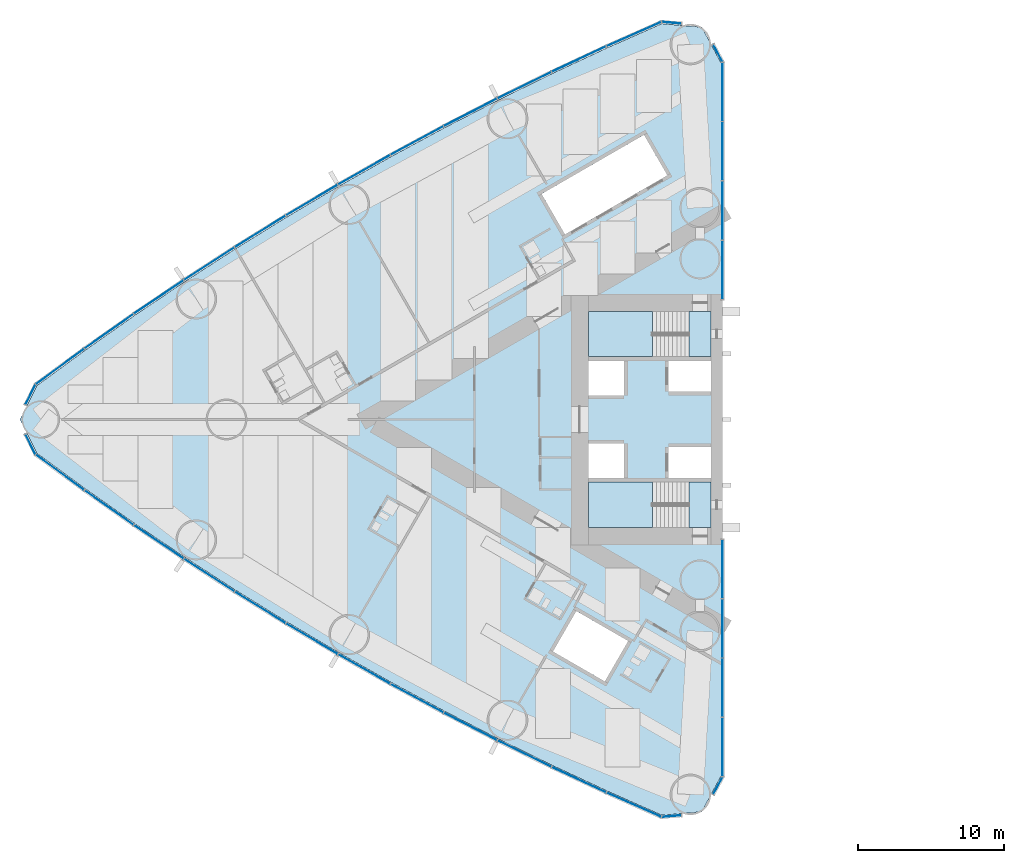
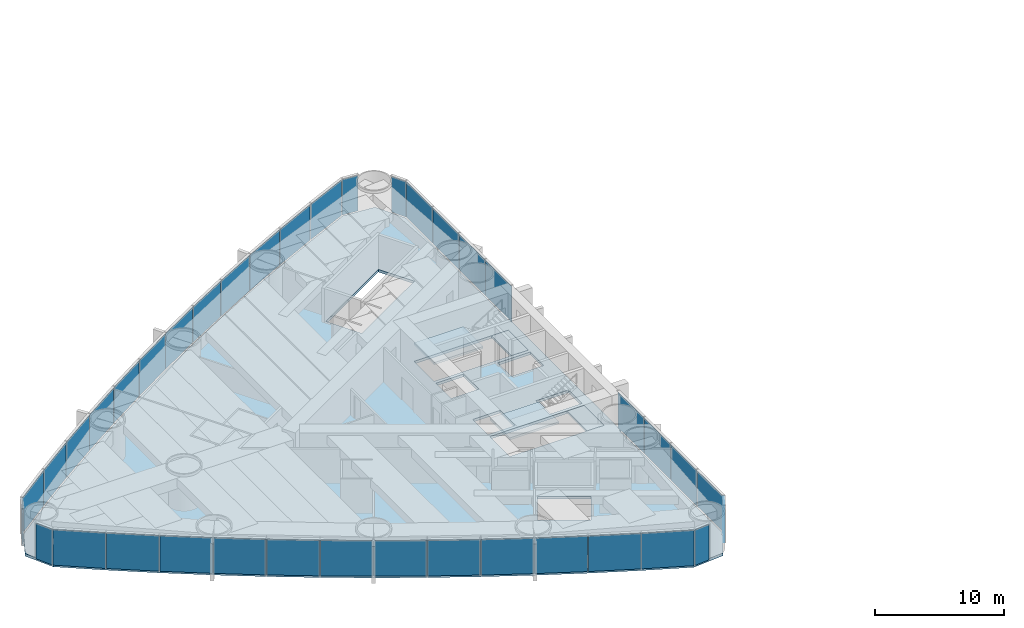
# One storey, part 9 of 19: 38 plates, 5 slabs, 6 elements without a shape of their own.
"""IFC4 building model written with IfcOpenShell, lengths in metres."""

from ifc_helpers import new_model, si_unit, direction, frame, origin, origin_2d, place, context, subcontext, project, spatial, polyline, rectangle, outline, extrude, material, layer, layer_set, type_object, element, aggregate, save


model = new_model("IFC4")

# Units and contexts
model_context = context("Model", 3, precision=1e-05, world=origin(), true_north=direction((0.0, 1.0)))
body_context = subcontext(model_context, "Body", "Model", "MODEL_VIEW")
ifc_project = project(units=[si_unit("LENGTHUNIT", "METRE"), si_unit("AREAUNIT", "SQUARE_METRE"), si_unit("VOLUMEUNIT", "CUBIC_METRE"), si_unit("PLANEANGLEUNIT", "RADIAN"), si_unit("MASSUNIT", "GRAM", prefix="KILO")], contexts=[model_context])

# Site, building, storey
site_placement = place(None, origin())
site = spatial("IfcSite", under=ifc_project, at=site_placement, CompositionType="ELEMENT")
building_placement = place(site_placement, origin())
building = spatial("IfcBuilding", under=site, at=building_placement, Name="Lancet Gate Hotel", CompositionType="ELEMENT")
storey_placement = place(building_placement, frame((0.0, 0.0, 35.5)))
storey = spatial("IfcBuildingStorey", under=building, at=storey_placement, Name="L08", CompositionType="ELEMENT", Elevation=35.5)

# Slab
ifc_material_1 = material(Name="Concrete C50/60", Category="concrete")
ifc_layer_1 = layer(ifc_material_1, 0.25)
ifc_layer_set_1 = layer_set([ifc_layer_1], Name="Floor slab 250")
slab_type_1 = type_object("IfcSlabType", Name="Floor slab 250", PredefinedType="FLOOR", material=ifc_layer_set_1)
slab_1_placement = place(storey_placement, frame((0.0, 0.0, -0.25)))
element("IfcSlab", 1, at=slab_1_placement, inside=storey, type_object=slab_type_1, Name="T1 L08 floor slab", PredefinedType="FLOOR", context=body_context, shape_type="SweptSolid", body=[
    extrude(outline(polyline([(-27.5, 8.60009765625), (-27.6201171875, 8.60009765625), (-27.6201171875, 24.4609375), (-28.926513671875, 26.8837890625), (-31.668212890625, 27.12353515625), (-35.424072265625, 25.458740234375), (-39.173583984375, 23.70849609375), (-42.887939453125, 21.884765625), (-46.56591796875, 19.98876953125), (-50.2060546875, 18.02099609375), (-53.806884765625, 15.982421875), (-57.366943359375, 13.87353515625), (-60.88525390625, 11.695068359375), (-64.360107421875, 9.448486328125), (-67.7900390625, 7.134033203125), (-71.17431640625, 4.752685546875), (-74.488525390625, 2.322021484375), (-75.65087890625, 0.0), (-74.488525390625, -2.322021484375), (-71.17431640625, -4.752685546875), (-67.7900390625, -7.134033203125), (-64.360107421875, -9.448486328125), (-60.88525390625, -11.695068359375), (-57.366943359375, -13.87353515625), (-53.806884765625, -15.982421875), (-50.2060546875, -18.02099609375), (-46.56591796875, -19.98876953125), (-42.887939453125, -21.884765625), (-39.173583984375, -23.70849609375), (-35.424072265625, -25.458740234375), (-31.668212890625, -27.12353515625), (-28.926513671875, -26.8837890625), (-27.6201171875, -24.4609375), (-27.6201171875, -8.60009765625), (-27.5, -8.60009765625), (-27.5, -8.199951171875), (-27.5, 8.199951171875), (-27.5, 8.60009765625)]), holes=[polyline([(-36.699951171875, 7.39990234375), (-36.699951171875, 4.300048828125), (-28.300048828125, 4.300048828125), (-28.300048828125, 7.39990234375), (-36.699951171875, 7.39990234375)]), polyline([(-28.300048828125, 4.0), (-31.199951171875, 4.0), (-31.199951171875, 1.89990234375), (-28.300048828125, 1.89990234375), (-28.300048828125, 4.0)]), polyline([(-34.25, 4.0), (-36.699951171875, 4.0), (-36.699951171875, 1.64990234375), (-34.25, 1.64990234375), (-34.25, 4.0)]), polyline([(-36.699951171875, -1.64990234375), (-36.699951171875, -4.0), (-34.25, -4.0), (-34.25, -1.64990234375), (-36.699951171875, -1.64990234375)]), polyline([(-28.300048828125, -1.89990234375), (-31.199951171875, -1.89990234375), (-31.199951171875, -4.0), (-28.300048828125, -4.0), (-28.300048828125, -1.89990234375)]), polyline([(-28.300048828125, -4.300048828125), (-36.699951171875, -4.300048828125), (-36.699951171875, -7.39990234375), (-28.300048828125, -7.39990234375), (-28.300048828125, -4.300048828125)]), polyline([(-31.2900390625, 16.73095703125), (-32.889892578125, 19.501953125), (-39.904052734375, 15.451904296875), (-38.303955078125, 12.680908203125), (-31.2900390625, 16.73095703125)]), polyline([(-33.97412109375, -15.180908203125), (-37.52490234375, -13.131103515625), (-39.125, -15.902099609375), (-35.573974609375, -17.951904296875), (-33.97412109375, -15.180908203125)])]), origin(), (0.0, 0.0, 1.0), 0.25),
])

# Stair, slabs
ifc_material_2 = material(Name="Exit stair 20 risers 1500")
stair_type = type_object("IfcStairType", Name="Exit stair 20 risers 1500", PredefinedType="HALF_TURN_STAIR", material=ifc_material_2)
stair_1_placement = place(storey_placement, origin())
stair_1 = element("IfcStair", 2, at=stair_1_placement, inside=storey, type_object=stair_type, Name="T1 stair 1 L08", PredefinedType="HALF_TURN_STAIR")
ifc_material_3 = material(Name="Concrete C40/50", Category="concrete")
ifc_layer_2 = layer(ifc_material_3, 0.199951171875)
ifc_layer_set_2 = layer_set([ifc_layer_2], Name="Stair landing 200")
slab_type_2 = type_object("IfcSlabType", Name="Stair landing 200", PredefinedType="LANDING", material=ifc_layer_set_2)
slab_2_placement = place(storey_placement, frame((0.0, 0.0, -0.199951171875)))
slab_2 = element("IfcSlab", 3, at=slab_2_placement, type_object=slab_type_2, Name="ST1 landing 1", PredefinedType="LANDING", context=body_context, shape_type="SweptSolid", body=[
    extrude(outline(polyline([(-28.300048828125, 7.39990234375), (-29.800048828125, 7.39990234375), (-29.800048828125, 4.300048828125), (-28.300048828125, 4.300048828125), (-28.300048828125, 7.39990234375)])), origin(), (0.0, 0.0, 1.0), 0.199951171875),
])
slab_3_placement = place(storey_placement, frame((0.0, 0.0, 1.550048828125)))
slab_3 = element("IfcSlab", 4, at=slab_3_placement, type_object=slab_type_2, Name="ST1 landing 2", PredefinedType="LANDING", context=body_context, shape_type="SweptSolid", body=[
    extrude(outline(polyline([(-32.320068359375, 7.39990234375), (-36.699951171875, 7.39990234375), (-36.699951171875, 4.300048828125), (-32.320068359375, 4.300048828125), (-32.320068359375, 7.39990234375)])), origin(), (0.0, 0.0, 1.0), 0.199951171875),
])
aggregate(stair_1, [slab_2, slab_3])

stair_2_placement = place(storey_placement, origin())
stair_2 = element("IfcStair", 5, at=stair_2_placement, inside=storey, type_object=stair_type, Name="T1 stair 2 L08", PredefinedType="HALF_TURN_STAIR")
slab_4_placement = place(storey_placement, frame((0.0, 0.0, -0.199951171875)))
slab_4 = element("IfcSlab", 6, at=slab_4_placement, type_object=slab_type_2, Name="ST2 landing 1", PredefinedType="LANDING", context=body_context, shape_type="SweptSolid", body=[
    extrude(outline(polyline([(-28.300048828125, -4.300048828125), (-29.800048828125, -4.300048828125), (-29.800048828125, -7.39990234375), (-28.300048828125, -7.39990234375), (-28.300048828125, -4.300048828125)])), origin(), (0.0, 0.0, 1.0), 0.199951171875),
])
slab_5_placement = place(storey_placement, frame((0.0, 0.0, 1.550048828125)))
slab_5 = element("IfcSlab", 7, at=slab_5_placement, type_object=slab_type_2, Name="ST2 landing 2", PredefinedType="LANDING", context=body_context, shape_type="SweptSolid", body=[
    extrude(outline(polyline([(-32.320068359375, -4.300048828125), (-36.699951171875, -4.300048828125), (-36.699951171875, -7.39990234375), (-32.320068359375, -7.39990234375), (-32.320068359375, -4.300048828125)])), origin(), (0.0, 0.0, 1.0), 0.199951171875),
])
aggregate(stair_2, [slab_4, slab_5])

# Curtain wall, plates
ifc_material_4 = material(Name="Aluminium curtain wall", Category="aluminium")
curtain_wall_type = type_object("IfcCurtainWallType", Name="Tower unitised curtain wall", PredefinedType="USERDEFINED", material=ifc_material_4)
curtain_wall_1_placement = place(storey_placement, origin())
curtain_wall_1 = element("IfcCurtainWall", 8, at=curtain_wall_1_placement, inside=storey, type_object=curtain_wall_type, Name="T1 L08 curtain wall 1", ObjectType="UNITISED CURTAIN WALL", PredefinedType="USERDEFINED")
ifc_material_5 = material(Name="Glass double glazed unit 8-16-6", Category="glass")
ifc_layer_3 = layer(ifc_material_5, 0.030029296875)
ifc_layer_set_3 = layer_set([ifc_layer_3], Name="Vision panel double glazed")
plate_type = type_object("IfcPlateType", Name="Vision panel double glazed", PredefinedType="CURTAIN_PANEL", material=ifc_layer_set_3)
plate_1_placement = place(storey_placement, frame((-27.5, 10.236328125, 0.0), z_axis=(0.0, 0.0, 1.0), x_axis=(0.0, 1.0, 0.0)))
plate_1 = element("IfcPlate", 9, at=plate_1_placement, type_object=plate_type, Name="T1 L08 curtain wall 1 panel 1", PredefinedType="CURTAIN_PANEL", context=body_context, shape_type="SweptSolid", body=[
    extrude(rectangle(XDim=4.0078125, YDim=0.030029296875, at=origin_2d()), origin(), (0.0, 0.0, 1.0), 3.35009765625),
])
plate_2_placement = place(storey_placement, frame((-27.5, 14.30908203125, 0.0), z_axis=(0.0, 0.0, 1.0), x_axis=(0.0, 1.0, 0.0)))
plate_2 = element("IfcPlate", 10, at=plate_2_placement, type_object=plate_type, Name="T1 L08 curtain wall 1 panel 2", PredefinedType="CURTAIN_PANEL", context=body_context, shape_type="SweptSolid", body=[
    extrude(rectangle(XDim=4.0078125, YDim=0.030029296875, at=origin_2d()), origin(), (0.0, 0.0, 1.0), 3.35009765625),
])
plate_3_placement = place(storey_placement, frame((-27.5, 18.382080078125, 0.0), z_axis=(0.0, 0.0, 1.0), x_axis=(0.0, 1.0, 0.0)))
plate_3 = element("IfcPlate", 11, at=plate_3_placement, type_object=plate_type, Name="T1 L08 curtain wall 1 panel 3", PredefinedType="CURTAIN_PANEL", context=body_context, shape_type="SweptSolid", body=[
    extrude(rectangle(XDim=4.0078125, YDim=0.030029296875, at=origin_2d()), origin(), (0.0, 0.0, 1.0), 3.35009765625),
])
plate_4_placement = place(storey_placement, frame((-27.5, 22.454833984375, 0.0), z_axis=(0.0, 0.0, 1.0), x_axis=(0.0, 1.0, 0.0)))
plate_4 = element("IfcPlate", 12, at=plate_4_placement, type_object=plate_type, Name="T1 L08 curtain wall 1 panel 4", PredefinedType="CURTAIN_PANEL", context=body_context, shape_type="SweptSolid", body=[
    extrude(rectangle(XDim=4.0078125, YDim=0.030029296875, at=origin_2d()), origin(), (0.0, 0.0, 1.0), 3.35009765625),
])
plate_5_placement = place(storey_placement, frame((-27.829345703125, 25.10205078125, 0.0), z_axis=(0.0, 0.0, 1.0), x_axis=(-0.474631040972, 0.880184852714, 0.0)))
plate_5 = element("IfcPlate", 13, at=plate_5_placement, type_object=plate_type, Name="T1 L08 curtain wall 1 panel 5", PredefinedType="CURTAIN_PANEL", context=body_context, shape_type="SweptSolid", body=[
    extrude(rectangle(XDim=1.322998046875, YDim=0.030029296875, at=origin_2d()), origin(), (0.0, 0.0, 1.0), 3.35009765625),
])
aggregate(curtain_wall_1, [plate_1, plate_2, plate_3, plate_4, plate_5])

curtain_wall_2_placement = place(storey_placement, origin())
curtain_wall_2 = element("IfcCurtainWall", 14, at=curtain_wall_2_placement, inside=storey, type_object=curtain_wall_type, Name="T1 L08 curtain wall 2", ObjectType="UNITISED CURTAIN WALL", PredefinedType="USERDEFINED")
plate_6_placement = place(storey_placement, frame((-30.99658203125, 27.185302734375, 0.0), z_axis=(0.0, 0.0, 1.0), x_axis=(-0.99620380374, 0.087051602022, 0.0)))
plate_6 = element("IfcPlate", 15, at=plate_6_placement, type_object=plate_type, Name="T1 L08 curtain wall 2 panel 1", PredefinedType="CURTAIN_PANEL", context=body_context, shape_type="SweptSolid", body=[
    extrude(rectangle(XDim=1.32421875, YDim=0.030029296875, at=origin_2d()), origin(), (0.0, 0.0, 1.0), 3.35009765625),
])
plate_7_placement = place(storey_placement, frame((-33.581298828125, 26.406982421875, 0.0), z_axis=(0.0, 0.0, 1.0), x_axis=(-0.914234183208, -0.405186201954, 0.0)))
plate_7 = element("IfcPlate", 16, at=plate_7_placement, type_object=plate_type, Name="T1 L08 curtain wall 2 panel 2", PredefinedType="CURTAIN_PANEL", context=body_context, shape_type="SweptSolid", body=[
    extrude(rectangle(XDim=4.0751953125, YDim=0.030029296875, at=origin_2d()), origin(), (0.0, 0.0, 1.0), 3.35009765625),
])
plate_8_placement = place(storey_placement, frame((-37.349609375, 24.6923828125, 0.0), z_axis=(0.0, 0.0, 1.0), x_axis=(-0.906117767284, -0.423025521467, 0.0)))
plate_8 = element("IfcPlate", 17, at=plate_8_placement, type_object=plate_type, Name="T1 L08 curtain wall 2 panel 3", PredefinedType="CURTAIN_PANEL", context=body_context, shape_type="SweptSolid", body=[
    extrude(rectangle(XDim=4.0751953125, YDim=0.030029296875, at=origin_2d()), origin(), (0.0, 0.0, 1.0), 3.35009765625),
])
plate_9_placement = place(storey_placement, frame((-41.083740234375, 22.904296875, 0.0), z_axis=(0.0, 0.0, 1.0), x_axis=(-0.897653295642, -0.440702349463, 0.0)))
plate_9 = element("IfcPlate", 18, at=plate_9_placement, type_object=plate_type, Name="T1 L08 curtain wall 2 panel 4", PredefinedType="CURTAIN_PANEL", context=body_context, shape_type="SweptSolid", body=[
    extrude(rectangle(XDim=4.0751953125, YDim=0.030029296875, at=origin_2d()), origin(), (0.0, 0.0, 1.0), 3.35009765625),
])
plate_10_placement = place(storey_placement, frame((-44.781982421875, 21.04345703125, 0.0), z_axis=(0.0, 0.0, 1.0), x_axis=(-0.888844019644, -0.458209895946, 0.0)))
plate_10 = element("IfcPlate", 19, at=plate_10_placement, type_object=plate_type, Name="T1 L08 curtain wall 2 panel 5", PredefinedType="CURTAIN_PANEL", context=body_context, shape_type="SweptSolid", body=[
    extrude(rectangle(XDim=4.0751953125, YDim=0.030029296875, at=origin_2d()), origin(), (0.0, 0.0, 1.0), 3.35009765625),
])
plate_11_placement = place(storey_placement, frame((-48.443115234375, 19.110595703125, 0.0), z_axis=(0.0, 0.0, 1.0), x_axis=(-0.87969332307, -0.475541435993, 0.0)))
plate_11 = element("IfcPlate", 20, at=plate_11_placement, type_object=plate_type, Name="T1 L08 curtain wall 2 panel 6", PredefinedType="CURTAIN_PANEL", context=body_context, shape_type="SweptSolid", body=[
    extrude(rectangle(XDim=4.0751953125, YDim=0.030029296875, at=origin_2d()), origin(), (0.0, 0.0, 1.0), 3.35009765625),
])
plate_12_placement = place(storey_placement, frame((-52.065673828125, 17.106201171875, 0.0), z_axis=(0.0, 0.0, 1.0), x_axis=(-0.870204720871, -0.492690312238, 0.0)))
plate_12 = element("IfcPlate", 21, at=plate_12_placement, type_object=plate_type, Name="T1 L08 curtain wall 2 panel 7", PredefinedType="CURTAIN_PANEL", context=body_context, shape_type="SweptSolid", body=[
    extrude(rectangle(XDim=4.0751953125, YDim=0.030029296875, at=origin_2d()), origin(), (0.0, 0.0, 1.0), 3.35009765625),
])
plate_13_placement = place(storey_placement, frame((-55.648193359375, 15.031005859375, 0.0), z_axis=(0.0, 0.0, 1.0), x_axis=(-0.860381857795, -0.509649937484, 0.0)))
plate_13 = element("IfcPlate", 22, at=plate_13_placement, type_object=plate_type, Name="T1 L08 curtain wall 2 panel 8", PredefinedType="CURTAIN_PANEL", context=body_context, shape_type="SweptSolid", body=[
    extrude(rectangle(XDim=4.0751953125, YDim=0.030029296875, at=origin_2d()), origin(), (0.0, 0.0, 1.0), 3.35009765625),
])
plate_14_placement = place(storey_placement, frame((-59.189208984375, 12.88623046875, 0.0), z_axis=(0.0, 0.0, 1.0), x_axis=(-0.850228506958, -0.52641379727, 0.0)))
plate_14 = element("IfcPlate", 23, at=plate_14_placement, type_object=plate_type, Name="T1 L08 curtain wall 2 panel 9", PredefinedType="CURTAIN_PANEL", context=body_context, shape_type="SweptSolid", body=[
    extrude(rectangle(XDim=4.0751953125, YDim=0.030029296875, at=origin_2d()), origin(), (0.0, 0.0, 1.0), 3.35009765625),
])
plate_15_placement = place(storey_placement, frame((-62.687744140625, 10.672607421875, 0.0), z_axis=(0.0, 0.0, 1.0), x_axis=(-0.839748568448, -0.54297545229, 0.0)))
plate_15 = element("IfcPlate", 24, at=plate_15_placement, type_object=plate_type, Name="T1 L08 curtain wall 2 panel 10", PredefinedType="CURTAIN_PANEL", context=body_context, shape_type="SweptSolid", body=[
    extrude(rectangle(XDim=4.0751953125, YDim=0.030029296875, at=origin_2d()), origin(), (0.0, 0.0, 1.0), 3.35009765625),
])
plate_16_placement = place(storey_placement, frame((-66.142333984375, 8.390625, 0.0), z_axis=(0.0, 0.0, 1.0), x_axis=(-0.828946067803, -0.559328540907, 0.0)))
plate_16 = element("IfcPlate", 25, at=plate_16_placement, type_object=plate_type, Name="T1 L08 curtain wall 2 panel 11", PredefinedType="CURTAIN_PANEL", context=body_context, shape_type="SweptSolid", body=[
    extrude(rectangle(XDim=4.0751953125, YDim=0.030029296875, at=origin_2d()), origin(), (0.0, 0.0, 1.0), 3.35009765625),
])
plate_17_placement = place(storey_placement, frame((-69.55126953125, 6.04150390625, 0.0), z_axis=(0.0, 0.0, 1.0), x_axis=(-0.817825154435, -0.575466781642, 0.0)))
plate_17 = element("IfcPlate", 26, at=plate_17_placement, type_object=plate_type, Name="T1 L08 curtain wall 2 panel 12", PredefinedType="CURTAIN_PANEL", context=body_context, shape_type="SweptSolid", body=[
    extrude(rectangle(XDim=4.0751953125, YDim=0.030029296875, at=origin_2d()), origin(), (0.0, 0.0, 1.0), 3.35009765625),
])
plate_18_placement = place(storey_placement, frame((-72.91357421875, 3.6259765625, 0.0), z_axis=(0.0, 0.0, 1.0), x_axis=(-0.80639010009, -0.591383975499, 0.0)))
plate_18 = element("IfcPlate", 27, at=plate_18_placement, type_object=plate_type, Name="T1 L08 curtain wall 2 panel 13", PredefinedType="CURTAIN_PANEL", context=body_context, shape_type="SweptSolid", body=[
    extrude(rectangle(XDim=4.0751953125, YDim=0.030029296875, at=origin_2d()), origin(), (0.0, 0.0, 1.0), 3.35009765625),
])
plate_19_placement = place(storey_placement, frame((-74.93505859375, 1.6982421875, 0.0), z_axis=(0.0, 0.0, 1.0), x_axis=(-0.447628324726, -0.89421970617, 0.0)))
plate_19 = element("IfcPlate", 28, at=plate_19_placement, type_object=plate_type, Name="T1 L08 curtain wall 2 panel 14", PredefinedType="CURTAIN_PANEL", context=body_context, shape_type="SweptSolid", body=[
    extrude(rectangle(XDim=1.50830078125, YDim=0.030029296875, at=origin_2d()), origin(), (0.0, 0.0, 1.0), 3.35009765625),
])
aggregate(curtain_wall_2, [plate_6, plate_7, plate_8, plate_9, plate_10, plate_11, plate_12, plate_13, plate_14, plate_15, plate_16, plate_17, plate_18, plate_19])

curtain_wall_3_placement = place(storey_placement, origin())
curtain_wall_3 = element("IfcCurtainWall", 29, at=curtain_wall_3_placement, inside=storey, type_object=curtain_wall_type, Name="T1 L08 curtain wall 3", ObjectType="UNITISED CURTAIN WALL", PredefinedType="USERDEFINED")
plate_20_placement = place(storey_placement, frame((-74.93505859375, -1.6982421875, 0.0), z_axis=(0.0, 0.0, 1.0), x_axis=(0.447628324726, -0.89421970617, 0.0)))
plate_20 = element("IfcPlate", 30, at=plate_20_placement, type_object=plate_type, Name="T1 L08 curtain wall 3 panel 1", PredefinedType="CURTAIN_PANEL", context=body_context, shape_type="SweptSolid", body=[
    extrude(rectangle(XDim=1.50830078125, YDim=0.030029296875, at=origin_2d()), origin(), (0.0, 0.0, 1.0), 3.35009765625),
])
plate_21_placement = place(storey_placement, frame((-72.91357421875, -3.6259765625, 0.0), z_axis=(0.0, 0.0, 1.0), x_axis=(0.80639010009, -0.591383975499, 0.0)))
plate_21 = element("IfcPlate", 31, at=plate_21_placement, type_object=plate_type, Name="T1 L08 curtain wall 3 panel 2", PredefinedType="CURTAIN_PANEL", context=body_context, shape_type="SweptSolid", body=[
    extrude(rectangle(XDim=4.0751953125, YDim=0.030029296875, at=origin_2d()), origin(), (0.0, 0.0, 1.0), 3.35009765625),
])
plate_22_placement = place(storey_placement, frame((-69.55126953125, -6.04150390625, 0.0), z_axis=(0.0, 0.0, 1.0), x_axis=(0.817825154435, -0.575466781642, 0.0)))
plate_22 = element("IfcPlate", 32, at=plate_22_placement, type_object=plate_type, Name="T1 L08 curtain wall 3 panel 3", PredefinedType="CURTAIN_PANEL", context=body_context, shape_type="SweptSolid", body=[
    extrude(rectangle(XDim=4.0751953125, YDim=0.030029296875, at=origin_2d()), origin(), (0.0, 0.0, 1.0), 3.35009765625),
])
plate_23_placement = place(storey_placement, frame((-66.142333984375, -8.390625, 0.0), z_axis=(0.0, 0.0, 1.0), x_axis=(0.828946067803, -0.559328540907, 0.0)))
plate_23 = element("IfcPlate", 33, at=plate_23_placement, type_object=plate_type, Name="T1 L08 curtain wall 3 panel 4", PredefinedType="CURTAIN_PANEL", context=body_context, shape_type="SweptSolid", body=[
    extrude(rectangle(XDim=4.0751953125, YDim=0.030029296875, at=origin_2d()), origin(), (0.0, 0.0, 1.0), 3.35009765625),
])
plate_24_placement = place(storey_placement, frame((-62.687744140625, -10.672607421875, 0.0), z_axis=(0.0, 0.0, 1.0), x_axis=(0.839748568448, -0.54297545229, 0.0)))
plate_24 = element("IfcPlate", 34, at=plate_24_placement, type_object=plate_type, Name="T1 L08 curtain wall 3 panel 5", PredefinedType="CURTAIN_PANEL", context=body_context, shape_type="SweptSolid", body=[
    extrude(rectangle(XDim=4.0751953125, YDim=0.030029296875, at=origin_2d()), origin(), (0.0, 0.0, 1.0), 3.35009765625),
])
plate_25_placement = place(storey_placement, frame((-59.189208984375, -12.88623046875, 0.0), z_axis=(0.0, 0.0, 1.0), x_axis=(0.850228506958, -0.52641379727, 0.0)))
plate_25 = element("IfcPlate", 35, at=plate_25_placement, type_object=plate_type, Name="T1 L08 curtain wall 3 panel 6", PredefinedType="CURTAIN_PANEL", context=body_context, shape_type="SweptSolid", body=[
    extrude(rectangle(XDim=4.0751953125, YDim=0.030029296875, at=origin_2d()), origin(), (0.0, 0.0, 1.0), 3.35009765625),
])
plate_26_placement = place(storey_placement, frame((-55.648193359375, -15.031005859375, 0.0), z_axis=(0.0, 0.0, 1.0), x_axis=(0.860381857795, -0.509649937484, 0.0)))
plate_26 = element("IfcPlate", 36, at=plate_26_placement, type_object=plate_type, Name="T1 L08 curtain wall 3 panel 7", PredefinedType="CURTAIN_PANEL", context=body_context, shape_type="SweptSolid", body=[
    extrude(rectangle(XDim=4.0751953125, YDim=0.030029296875, at=origin_2d()), origin(), (0.0, 0.0, 1.0), 3.35009765625),
])
plate_27_placement = place(storey_placement, frame((-52.065673828125, -17.106201171875, 0.0), z_axis=(0.0, 0.0, 1.0), x_axis=(0.870204720871, -0.492690312238, 0.0)))
plate_27 = element("IfcPlate", 37, at=plate_27_placement, type_object=plate_type, Name="T1 L08 curtain wall 3 panel 8", PredefinedType="CURTAIN_PANEL", context=body_context, shape_type="SweptSolid", body=[
    extrude(rectangle(XDim=4.0751953125, YDim=0.030029296875, at=origin_2d()), origin(), (0.0, 0.0, 1.0), 3.35009765625),
])
plate_28_placement = place(storey_placement, frame((-48.443115234375, -19.110595703125, 0.0), z_axis=(0.0, 0.0, 1.0), x_axis=(0.87969332307, -0.475541435993, 0.0)))
plate_28 = element("IfcPlate", 38, at=plate_28_placement, type_object=plate_type, Name="T1 L08 curtain wall 3 panel 9", PredefinedType="CURTAIN_PANEL", context=body_context, shape_type="SweptSolid", body=[
    extrude(rectangle(XDim=4.0751953125, YDim=0.030029296875, at=origin_2d()), origin(), (0.0, 0.0, 1.0), 3.35009765625),
])
plate_29_placement = place(storey_placement, frame((-44.781982421875, -21.04345703125, 0.0), z_axis=(0.0, 0.0, 1.0), x_axis=(0.888844019644, -0.458209895946, 0.0)))
plate_29 = element("IfcPlate", 39, at=plate_29_placement, type_object=plate_type, Name="T1 L08 curtain wall 3 panel 10", PredefinedType="CURTAIN_PANEL", context=body_context, shape_type="SweptSolid", body=[
    extrude(rectangle(XDim=4.0751953125, YDim=0.030029296875, at=origin_2d()), origin(), (0.0, 0.0, 1.0), 3.35009765625),
])
plate_30_placement = place(storey_placement, frame((-41.083740234375, -22.904296875, 0.0), z_axis=(0.0, 0.0, 1.0), x_axis=(0.897653295642, -0.440702349463, 0.0)))
plate_30 = element("IfcPlate", 40, at=plate_30_placement, type_object=plate_type, Name="T1 L08 curtain wall 3 panel 11", PredefinedType="CURTAIN_PANEL", context=body_context, shape_type="SweptSolid", body=[
    extrude(rectangle(XDim=4.0751953125, YDim=0.030029296875, at=origin_2d()), origin(), (0.0, 0.0, 1.0), 3.35009765625),
])
plate_31_placement = place(storey_placement, frame((-37.349609375, -24.6923828125, 0.0), z_axis=(0.0, 0.0, 1.0), x_axis=(0.906117767284, -0.423025521467, 0.0)))
plate_31 = element("IfcPlate", 41, at=plate_31_placement, type_object=plate_type, Name="T1 L08 curtain wall 3 panel 12", PredefinedType="CURTAIN_PANEL", context=body_context, shape_type="SweptSolid", body=[
    extrude(rectangle(XDim=4.0751953125, YDim=0.030029296875, at=origin_2d()), origin(), (0.0, 0.0, 1.0), 3.35009765625),
])
plate_32_placement = place(storey_placement, frame((-33.581298828125, -26.406982421875, 0.0), z_axis=(0.0, 0.0, 1.0), x_axis=(0.914234183208, -0.405186201954, 0.0)))
plate_32 = element("IfcPlate", 42, at=plate_32_placement, type_object=plate_type, Name="T1 L08 curtain wall 3 panel 13", PredefinedType="CURTAIN_PANEL", context=body_context, shape_type="SweptSolid", body=[
    extrude(rectangle(XDim=4.0751953125, YDim=0.030029296875, at=origin_2d()), origin(), (0.0, 0.0, 1.0), 3.35009765625),
])
plate_33_placement = place(storey_placement, frame((-30.99658203125, -27.185302734375, 0.0), z_axis=(0.0, 0.0, 1.0), x_axis=(0.99620380374, 0.087051602022, 0.0)))
plate_33 = element("IfcPlate", 43, at=plate_33_placement, type_object=plate_type, Name="T1 L08 curtain wall 3 panel 14", PredefinedType="CURTAIN_PANEL", context=body_context, shape_type="SweptSolid", body=[
    extrude(rectangle(XDim=1.32421875, YDim=0.030029296875, at=origin_2d()), origin(), (0.0, 0.0, 1.0), 3.35009765625),
])
aggregate(curtain_wall_3, [plate_20, plate_21, plate_22, plate_23, plate_24, plate_25, plate_26, plate_27, plate_28, plate_29, plate_30, plate_31, plate_32, plate_33])

curtain_wall_4_placement = place(storey_placement, origin())
curtain_wall_4 = element("IfcCurtainWall", 44, at=curtain_wall_4_placement, inside=storey, type_object=curtain_wall_type, Name="T1 L08 curtain wall 4", ObjectType="UNITISED CURTAIN WALL", PredefinedType="USERDEFINED")
plate_34_placement = place(storey_placement, frame((-27.829345703125, -25.10205078125, 0.0), z_axis=(0.0, 0.0, 1.0), x_axis=(0.474631040972, 0.880184852714, 0.0)))
plate_34 = element("IfcPlate", 45, at=plate_34_placement, type_object=plate_type, Name="T1 L08 curtain wall 4 panel 1", PredefinedType="CURTAIN_PANEL", context=body_context, shape_type="SweptSolid", body=[
    extrude(rectangle(XDim=1.322998046875, YDim=0.030029296875, at=origin_2d()), origin(), (0.0, 0.0, 1.0), 3.35009765625),
])
plate_35_placement = place(storey_placement, frame((-27.5, -22.454833984375, 0.0), z_axis=(0.0, 0.0, 1.0), x_axis=(0.0, 1.0, 0.0)))
plate_35 = element("IfcPlate", 46, at=plate_35_placement, type_object=plate_type, Name="T1 L08 curtain wall 4 panel 2", PredefinedType="CURTAIN_PANEL", context=body_context, shape_type="SweptSolid", body=[
    extrude(rectangle(XDim=4.0078125, YDim=0.030029296875, at=origin_2d()), origin(), (0.0, 0.0, 1.0), 3.35009765625),
])
plate_36_placement = place(storey_placement, frame((-27.5, -18.382080078125, 0.0), z_axis=(0.0, 0.0, 1.0), x_axis=(0.0, 1.0, 0.0)))
plate_36 = element("IfcPlate", 47, at=plate_36_placement, type_object=plate_type, Name="T1 L08 curtain wall 4 panel 3", PredefinedType="CURTAIN_PANEL", context=body_context, shape_type="SweptSolid", body=[
    extrude(rectangle(XDim=4.0078125, YDim=0.030029296875, at=origin_2d()), origin(), (0.0, 0.0, 1.0), 3.35009765625),
])
plate_37_placement = place(storey_placement, frame((-27.5, -14.30908203125, 0.0), z_axis=(0.0, 0.0, 1.0), x_axis=(0.0, 1.0, 0.0)))
plate_37 = element("IfcPlate", 48, at=plate_37_placement, type_object=plate_type, Name="T1 L08 curtain wall 4 panel 4", PredefinedType="CURTAIN_PANEL", context=body_context, shape_type="SweptSolid", body=[
    extrude(rectangle(XDim=4.0078125, YDim=0.030029296875, at=origin_2d()), origin(), (0.0, 0.0, 1.0), 3.35009765625),
])
plate_38_placement = place(storey_placement, frame((-27.5, -10.236328125, 0.0), z_axis=(0.0, 0.0, 1.0), x_axis=(0.0, 1.0, 0.0)))
plate_38 = element("IfcPlate", 49, at=plate_38_placement, type_object=plate_type, Name="T1 L08 curtain wall 4 panel 5", PredefinedType="CURTAIN_PANEL", context=body_context, shape_type="SweptSolid", body=[
    extrude(rectangle(XDim=4.0078125, YDim=0.030029296875, at=origin_2d()), origin(), (0.0, 0.0, 1.0), 3.35009765625),
])
aggregate(curtain_wall_4, [plate_34, plate_35, plate_36, plate_37, plate_38])

save(model, "model.ifc")
